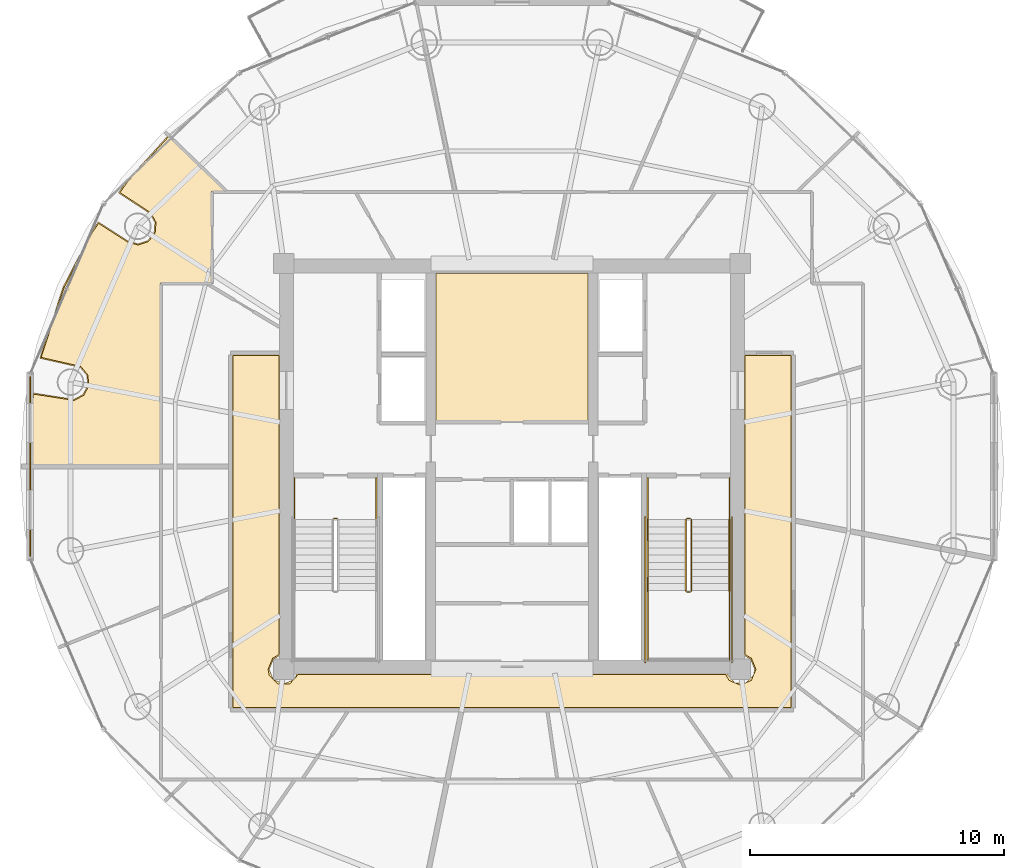
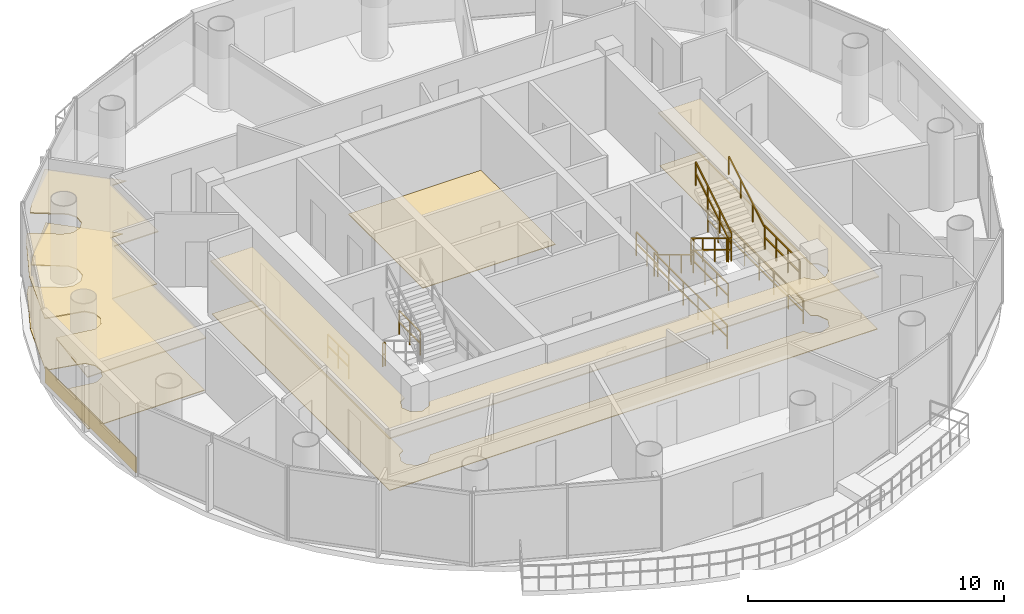
# One storey, part 22 of 23: 15 railings, 6 coverings.
"""IFC4 building model written with IfcOpenShell, lengths in metres."""

from ifc_helpers import new_model, si_unit, direction, frame, origin, origin_2d, place, context, subcontext, project, spatial, polyline, rectangle, outline, extrude, source, transform, mapped, material, layer, layer_set, type_object, element, save


model = new_model("IFC4")

# Units and contexts
model_context = context("Model", 3, precision=1e-05, world=origin(), true_north=direction((-0.2419218956, 0.970295726276)))
body_context = subcontext(model_context, "Body", "Model", "MODEL_VIEW")
ifc_project = project(units=[si_unit("LENGTHUNIT", "METRE"), si_unit("AREAUNIT", "SQUARE_METRE"), si_unit("VOLUMEUNIT", "CUBIC_METRE"), si_unit("PLANEANGLEUNIT", "RADIAN"), si_unit("MASSUNIT", "GRAM", prefix="KILO")], contexts=[model_context])

# Site, building, storey
site_placement = place(None, origin())
site = spatial("IfcSite", under=ifc_project, at=site_placement, CompositionType="ELEMENT")
building_placement = place(site_placement, origin())
building = spatial("IfcBuilding", under=site, at=building_placement, Name="Cobrevalo Terracotta Tower", CompositionType="ELEMENT")
storey_placement = place(building_placement, frame((0.0, 0.0, 263.199951171875)))
storey = spatial("IfcBuildingStorey", under=building, at=storey_placement, Name="L69", CompositionType="ELEMENT", Elevation=263.199951171875)

# Coverings
ifc_material_1 = material(Name="Engineered Brazilian hardwood flooring", Category="wood")
ifc_layer_1 = layer(ifc_material_1, 0.028076171875)
ifc_layer_set_1 = layer_set([ifc_layer_1], Name="Engineered Brazilian hardwood flooring")
covering_type_1 = type_object("IfcCoveringType", Name="Engineered Hardwood Suite Flooring 28", PredefinedType="FLOORING", material=ifc_layer_set_1)
covering_1_placement = place(storey_placement, origin())
element("IfcCovering", 1, at=covering_1_placement, inside=storey, type_object=covering_type_1, Name="Flat L69A Private Cinema Room floor finish", PredefinedType="FLOORING", context=body_context, shape_type="SweptSolid", body=[
    extrude(outline(polyline([(26.72021484375, 37.64501953125), (26.155029296875, 37.64501953125), (26.155029296875, 34.030029296875), (24.14501953125, 34.030029296875), (24.14501953125, 26.820068359375), (18.88134765625, 26.820068359375), (19.1357421875, 29.65087890625), (20.740966796875, 29.401611328125), (21.118408203125, 29.60693359375), (21.318115234375, 29.9873046875), (21.272705078125, 30.41455078125), (20.99755859375, 30.74462890625), (19.43505859375, 31.1005859375), (20.33544921875, 33.848876953125), (21.44140625, 36.009765625), (21.699951171875, 36.382568359375), (22.842529296875, 35.649169921875), (23.255126953125, 35.532470703125), (23.663818359375, 35.664794921875), (23.93017578125, 36.001953125), (23.964599609375, 36.43017578125), (23.7548828125, 36.805419921875), (22.5439453125, 37.599365234375), (22.830810546875, 38.01318359375), (24.47021484375, 39.81396484375), (26.72021484375, 37.64501953125)])), origin(), (0.0, 0.0, 1.0), 0.030029296875),
])
ifc_material_2 = material(Name="Honed terracotta and granite tile", Category="masonry")
ifc_layer_2 = layer(ifc_material_2, 0.034912109375)
ifc_layer_set_2 = layer_set([ifc_layer_2], Name="Honed terracotta and granite tile")
covering_type_2 = type_object("IfcCoveringType", Name="Honed Terracotta & Granite Interior Flooring 35", PredefinedType="FLOORING", material=ifc_layer_set_2)
covering_2_placement = place(storey_placement, origin())
element("IfcCovering", 2, at=covering_2_placement, inside=storey, type_object=covering_type_2, Name="Floor Electrical Switchroom floor finish", PredefinedType="FLOORING", context=body_context, shape_type="SweptSolid", body=[
    extrude(outline(polyline([(35.010009765625, 34.405029296875), (40.989990234375, 34.405029296875), (40.989990234375, 28.580078125), (35.010009765625, 28.580078125), (35.010009765625, 34.405029296875)])), origin(), (0.0, 0.0, 1.0), 0.030029296875),
])
covering_3_placement = place(storey_placement, origin())
element("IfcCovering", 3, at=covering_3_placement, inside=storey, type_object=covering_type_2, Name="L69 Residential Floor Corridor floor finish", PredefinedType="FLOORING", context=body_context, shape_type="SweptSolid", body=[
    extrude(outline(polyline([(26.9951171875, 31.179931640625), (28.804931640625, 31.179931640625), (28.804931640625, 19.381591796875), (28.561279296875, 19.23876953125), (28.379638671875, 18.800048828125), (28.4267578125, 18.5625), (28.7626953125, 18.226806640625), (29.2373046875, 18.226806640625), (29.58154296875, 18.60498046875), (46.41845703125, 18.60498046875), (46.561279296875, 18.361328125), (47.0, 18.1796875), (47.438720703125, 18.361328125), (47.620361328125, 18.800048828125), (47.438720703125, 19.23876953125), (47.195068359375, 19.381591796875), (47.195068359375, 31.179931640625), (49.0048828125, 31.179931640625), (49.0048828125, 17.294921875), (26.9951171875, 17.294921875), (26.9951171875, 31.179931640625)])), origin(), (0.0, 0.0, 1.0), 0.030029296875),
])
ifc_material_3 = material(Name="Acoustic perforated gypsum ceiling", Category="gypsum")
ifc_layer_3 = layer(ifc_material_3, 0.050048828125)
ifc_layer_set_3 = layer_set([ifc_layer_3], Name="Acoustic perforated gypsum ceiling")
covering_type_3 = type_object("IfcCoveringType", Name="Perforated Acoustic Gypsum Ceiling 50", PredefinedType="CEILING", material=ifc_layer_set_3)
covering_4_placement = place(storey_placement, frame((0.0, 0.0, 2.5)))
element("IfcCovering", 4, at=covering_4_placement, inside=storey, type_object=covering_type_3, Name="L69 Residential Floor Corridor acoustic ceiling", PredefinedType="CEILING", context=body_context, shape_type="SweptSolid", body=[
    extrude(outline(polyline([(26.949951171875, 31.22509765625), (28.85009765625, 31.22509765625), (28.85009765625, 19.3447265625), (28.59375, 19.206298828125), (28.425537109375, 18.800048828125), (28.59375, 18.393798828125), (29.0, 18.2255859375), (29.40625, 18.393798828125), (29.544677734375, 18.64990234375), (46.455322265625, 18.64990234375), (46.780029296875, 18.269287109375), (47.219970703125, 18.269287109375), (47.53076171875, 18.580078125), (47.574462890625, 18.800048828125), (47.40625, 19.206298828125), (47.14990234375, 19.3447265625), (47.14990234375, 31.22509765625), (49.050048828125, 31.22509765625), (49.050048828125, 17.25), (26.949951171875, 17.25), (26.949951171875, 31.22509765625)])), origin(), (0.0, 0.0, 1.0), 0.050048828125),
])
covering_5_placement = place(storey_placement, frame((0.0, 0.0, 2.5)))
element("IfcCovering", 5, at=covering_5_placement, inside=storey, type_object=covering_type_3, Name="Flat L69A Private Cinema Room acoustic ceiling", PredefinedType="CEILING", context=body_context, shape_type="SweptSolid", body=[
    extrude(outline(polyline([(26.831787109375, 37.60009765625), (26.199951171875, 37.60009765625), (26.199951171875, 33.985107421875), (24.18994140625, 33.985107421875), (24.18994140625, 26.77490234375), (18.833251953125, 26.77490234375), (19.100830078125, 29.703369140625), (20.731689453125, 29.44580078125), (21.086181640625, 29.638671875), (21.273681640625, 29.995849609375), (21.23095703125, 30.39697265625), (20.97265625, 30.70703125), (19.3818359375, 31.06494140625), (20.2939453125, 33.86669921875), (21.40283203125, 36.032958984375), (21.687744140625, 36.44384765625), (22.864990234375, 35.688232421875), (23.254150390625, 35.57763671875), (23.637939453125, 35.701904296875), (23.88818359375, 36.0185546875), (23.92041015625, 36.420654296875), (23.7236328125, 36.772705078125), (22.48046875, 37.586669921875), (22.795654296875, 38.041259765625), (24.468017578125, 39.87841796875), (26.831787109375, 37.60009765625)])), origin(), (0.0, 0.0, 1.0), 0.050048828125),
])

# Railings
ifc_material_4 = material(Name="Brushed stainless steel", Category="steel")
railing_type_1 = type_object("IfcRailingType", Name="Stainless Steel Stair Handrail 900", PredefinedType="HANDRAIL", material=ifc_material_4)
railing_1_placement = place(storey_placement, frame((43.35498046875, 24.699951171875, 0.17041015625)))
element("IfcRailing", 6, at=railing_1_placement, inside=storey, type_object=railing_type_1, Name="L69 ST-2 stair handrail 1", PredefinedType="HANDRAIL", context=body_context, shape_type="SweptSolid", body=[
    extrude(rectangle(XDim=0.048095703125, YDim=0.048095703125, at=origin_2d()), frame((0.0, 0.0, 0.8759765625), z_axis=(0.0, -0.854169791009, 0.51999420009), x_axis=(1.0, 0.0, 0.0)), (0.0, 0.0, 1.0), 3.278076171875),
    extrude(rectangle(XDim=0.0419921875, YDim=0.0419921875, at=origin_2d()), origin(), (0.0, 0.0, 1.0), 0.851806640625),
    extrude(rectangle(XDim=0.0419921875, YDim=0.0419921875, at=origin_2d()), frame((0.0, -0.933349609375, 0.568115234375)), (0.0, 0.0, 1.0), 0.851806640625),
    extrude(rectangle(XDim=0.0419921875, YDim=0.0419921875, at=origin_2d()), frame((0.0, -1.86669921875, 1.136474609375)), (0.0, 0.0, 1.0), 0.851806640625),
    extrude(rectangle(XDim=0.0419921875, YDim=0.0419921875, at=origin_2d()), frame((0.0, -2.800048828125, 1.70458984375)), (0.0, 0.0, 1.0), 0.851806640625),
])
railing_2_placement = place(storey_placement, frame((46.574951171875, 21.89990234375, 2.04541015625)))
element("IfcRailing", 7, at=railing_2_placement, inside=storey, type_object=railing_type_1, Name="L69 ST-2 stair handrail 2", PredefinedType="HANDRAIL", context=body_context, shape_type="SweptSolid", body=[
    extrude(rectangle(XDim=0.048095703125, YDim=0.048095703125, at=origin_2d()), frame((0.0, 0.0, 0.8759765625), z_axis=(0.0, 0.854169791009, 0.51999420009), x_axis=(-1.0, 0.0, 0.0)), (0.0, 0.0, 1.0), 3.278076171875),
    extrude(rectangle(XDim=0.0419921875, YDim=0.0419921875, at=origin_2d()), origin(), (0.0, 0.0, 1.0), 0.851806640625),
    extrude(rectangle(XDim=0.0419921875, YDim=0.0419921875, at=origin_2d()), frame((0.0, 0.933349609375, 0.568115234375)), (0.0, 0.0, 1.0), 0.851806640625),
    extrude(rectangle(XDim=0.0419921875, YDim=0.0419921875, at=origin_2d()), frame((0.0, 1.86669921875, 1.136474609375)), (0.0, 0.0, 1.0), 0.851806640625),
    extrude(rectangle(XDim=0.0419921875, YDim=0.0419921875, at=origin_2d()), frame((0.0, 2.800048828125, 1.70458984375)), (0.0, 0.0, 1.0), 0.851806640625),
])
ifc_material_5 = material(Name="Painted galvanized steel", Category="steel")
railing_type_2 = type_object("IfcRailingType", Name="Stair Well Guard Balustrade 1150", PredefinedType="GUARDRAIL", material=ifc_material_5)
railing_3_placement = place(storey_placement, frame((30.97509765625, 24.75, 0.0)))
element("IfcRailing", 8, at=railing_3_placement, inside=storey, type_object=railing_type_2, Name="L69 ST-1 stair guard 7", PredefinedType="GUARDRAIL", context=body_context, shape_type="SweptSolid", body=[
    extrude(rectangle(XDim=0.048095703125, YDim=0.048095703125, at=origin_2d()), frame((0.0, 0.0, 1.1259765625), z_axis=(1.0, 0.0, 0.0), x_axis=(0.0, 1.0, 0.0)), (0.0, 0.0, 1.0), 0.119873046875),
    extrude(rectangle(XDim=0.048095703125, YDim=0.048095703125, at=origin_2d()), frame((0.0, 0.0, 0.574951171875), z_axis=(1.0, 0.0, 0.0), x_axis=(0.0, 1.0, 0.0)), (0.0, 0.0, 1.0), 0.119873046875),
    extrude(rectangle(XDim=0.0419921875, YDim=0.0419921875, at=origin_2d()), origin(), (0.0, 0.0, 1.0), 1.101806640625),
    extrude(rectangle(XDim=0.0419921875, YDim=0.0419921875, at=origin_2d()), frame((0.119873046875, 0.0, 0.0)), (0.0, 0.0, 1.0), 1.101806640625),
])
for number, where, name in (
    (9, (29.425048828125, 26.35009765625, 0.0), "L69 ST-1 stair guard 8"),
    (10, (32.64501953125, 26.35009765625, 0.0), "L69 ST-1 stair guard 9"),
):
    element("IfcRailing", number, at=place(storey_placement, frame(where)), inside=storey, type_object=railing_type_2, Name=name, PredefinedType="GUARDRAIL", context=body_context, shape_type="SweptSolid", body=[
        extrude(rectangle(XDim=0.048095703125, YDim=0.048095703125, at=origin_2d()), frame((0.0, 0.0, 1.1259765625), z_axis=(0.0, -1.0, 0.0), x_axis=(1.0, 0.0, 0.0)), (0.0, 0.0, 1.0), 1.650146484375),
        extrude(rectangle(XDim=0.048095703125, YDim=0.048095703125, at=origin_2d()), frame((0.0, 0.0, 0.574951171875), z_axis=(0.0, -1.0, 0.0), x_axis=(1.0, 0.0, 0.0)), (0.0, 0.0, 1.0), 1.650146484375),
        extrude(rectangle(XDim=0.0419921875, YDim=0.0419921875, at=origin_2d()), origin(), (0.0, 0.0, 1.0), 1.101806640625),
        extrude(rectangle(XDim=0.0419921875, YDim=0.0419921875, at=origin_2d()), frame((0.0, -0.8251953125, 0.0)), (0.0, 0.0, 1.0), 1.101806640625),
        extrude(rectangle(XDim=0.0419921875, YDim=0.0419921875, at=origin_2d()), frame((0.0, -1.650146484375, 0.0)), (0.0, 0.0, 1.0), 1.101806640625),
    ])
railing_4_placement = place(storey_placement, frame((44.85498046875, 24.699951171875, 0.17041015625)))
element("IfcRailing", 11, at=railing_4_placement, inside=storey, type_object=railing_type_2, Name="L69 ST-2 stair guard 1", PredefinedType="GUARDRAIL", context=body_context, shape_type="SweptSolid", body=[
    extrude(rectangle(XDim=0.048095703125, YDim=0.048095703125, at=origin_2d()), frame((0.0, 0.0, 1.1259765625), z_axis=(0.0, -0.854169791009, 0.51999420009), x_axis=(1.0, 0.0, 0.0)), (0.0, 0.0, 1.0), 3.278076171875),
    extrude(rectangle(XDim=0.048095703125, YDim=0.048095703125, at=origin_2d()), frame((0.0, 0.0, 0.574951171875), z_axis=(0.0, -0.854169791009, 0.51999420009), x_axis=(1.0, 0.0, 0.0)), (0.0, 0.0, 1.0), 3.278076171875),
    extrude(rectangle(XDim=0.0419921875, YDim=0.0419921875, at=origin_2d()), origin(), (0.0, 0.0, 1.0), 1.101806640625),
    extrude(rectangle(XDim=0.0419921875, YDim=0.0419921875, at=origin_2d()), frame((0.0, -0.933349609375, 0.568115234375)), (0.0, 0.0, 1.0), 1.101806640625),
    extrude(rectangle(XDim=0.0419921875, YDim=0.0419921875, at=origin_2d()), frame((0.0, -1.86669921875, 1.136474609375)), (0.0, 0.0, 1.0), 1.101806640625),
    extrude(rectangle(XDim=0.0419921875, YDim=0.0419921875, at=origin_2d()), frame((0.0, -2.800048828125, 1.70458984375)), (0.0, 0.0, 1.0), 1.101806640625),
])
railing_5_placement = place(storey_placement, frame((44.905029296875, 21.85009765625, 1.875)))
element("IfcRailing", 12, at=railing_5_placement, inside=storey, type_object=railing_type_2, Name="L69 ST-2 stair guard 2", PredefinedType="GUARDRAIL", context=body_context, shape_type="SweptSolid", body=[
    extrude(rectangle(XDim=0.048095703125, YDim=0.048095703125, at=origin_2d()), frame((0.0, 0.0, 1.1259765625), z_axis=(1.0, 0.0, 0.0), x_axis=(0.0, 1.0, 0.0)), (0.0, 0.0, 1.0), 0.119873046875),
    extrude(rectangle(XDim=0.048095703125, YDim=0.048095703125, at=origin_2d()), frame((0.0, 0.0, 0.574951171875), z_axis=(1.0, 0.0, 0.0), x_axis=(0.0, 1.0, 0.0)), (0.0, 0.0, 1.0), 0.119873046875),
    extrude(rectangle(XDim=0.0419921875, YDim=0.0419921875, at=origin_2d()), origin(), (0.0, 0.0, 1.0), 1.101806640625),
    extrude(rectangle(XDim=0.0419921875, YDim=0.0419921875, at=origin_2d()), frame((0.119873046875, 0.0, 0.0)), (0.0, 0.0, 1.0), 1.101806640625),
])
for number, where, name in (
    (13, (43.35498046875, 21.89990234375, 1.875), "L69 ST-2 stair guard 3"),
    (14, (46.574951171875, 21.89990234375, 1.875), "L69 ST-2 stair guard 4"),
):
    element("IfcRailing", number, at=place(storey_placement, frame(where)), inside=storey, type_object=railing_type_2, Name=name, PredefinedType="GUARDRAIL", context=body_context, shape_type="SweptSolid", body=[
        extrude(rectangle(XDim=0.048095703125, YDim=0.048095703125, at=origin_2d()), frame((0.0, 0.0, 1.1259765625), z_axis=(0.0, -1.0, 0.0), x_axis=(1.0, 0.0, 0.0)), (0.0, 0.0, 1.0), 2.724853515625),
        extrude(rectangle(XDim=0.048095703125, YDim=0.048095703125, at=origin_2d()), frame((0.0, 0.0, 0.574951171875), z_axis=(0.0, -1.0, 0.0), x_axis=(1.0, 0.0, 0.0)), (0.0, 0.0, 1.0), 2.724853515625),
        extrude(rectangle(XDim=0.0419921875, YDim=0.0419921875, at=origin_2d()), origin(), (0.0, 0.0, 1.0), 1.101806640625),
        extrude(rectangle(XDim=0.0419921875, YDim=0.0419921875, at=origin_2d()), frame((0.0, -0.908203125, 0.0)), (0.0, 0.0, 1.0), 1.101806640625),
        extrude(rectangle(XDim=0.0419921875, YDim=0.0419921875, at=origin_2d()), frame((0.0, -1.816650390625, 0.0)), (0.0, 0.0, 1.0), 1.101806640625),
        extrude(rectangle(XDim=0.0419921875, YDim=0.0419921875, at=origin_2d()), frame((0.0, -2.724853515625, 0.0)), (0.0, 0.0, 1.0), 1.101806640625),
    ])
railing_6_placement = place(storey_placement, frame((45.074951171875, 21.89990234375, 2.04541015625)))
element("IfcRailing", 15, at=railing_6_placement, inside=storey, type_object=railing_type_2, Name="L69 ST-2 stair guard 6", PredefinedType="GUARDRAIL", context=body_context, shape_type="SweptSolid", body=[
    extrude(rectangle(XDim=0.048095703125, YDim=0.048095703125, at=origin_2d()), frame((0.0, 0.0, 1.1259765625), z_axis=(0.0, 0.854169791009, 0.51999420009), x_axis=(-1.0, 0.0, 0.0)), (0.0, 0.0, 1.0), 3.278076171875),
    extrude(rectangle(XDim=0.048095703125, YDim=0.048095703125, at=origin_2d()), frame((0.0, 0.0, 0.574951171875), z_axis=(0.0, 0.854169791009, 0.51999420009), x_axis=(-1.0, 0.0, 0.0)), (0.0, 0.0, 1.0), 3.278076171875),
    extrude(rectangle(XDim=0.0419921875, YDim=0.0419921875, at=origin_2d()), origin(), (0.0, 0.0, 1.0), 1.101806640625),
    extrude(rectangle(XDim=0.0419921875, YDim=0.0419921875, at=origin_2d()), frame((0.0, 0.933349609375, 0.568115234375)), (0.0, 0.0, 1.0), 1.101806640625),
    extrude(rectangle(XDim=0.0419921875, YDim=0.0419921875, at=origin_2d()), frame((0.0, 1.86669921875, 1.136474609375)), (0.0, 0.0, 1.0), 1.101806640625),
    extrude(rectangle(XDim=0.0419921875, YDim=0.0419921875, at=origin_2d()), frame((0.0, 2.800048828125, 1.70458984375)), (0.0, 0.0, 1.0), 1.101806640625),
])
railing_7_placement = place(storey_placement, frame((44.905029296875, 24.75, 0.0)))
element("IfcRailing", 16, at=railing_7_placement, inside=storey, type_object=railing_type_2, Name="L69 ST-2 stair guard 7", PredefinedType="GUARDRAIL", context=body_context, shape_type="SweptSolid", body=[
    extrude(rectangle(XDim=0.048095703125, YDim=0.048095703125, at=origin_2d()), frame((0.0, 0.0, 1.1259765625), z_axis=(1.0, 0.0, 0.0), x_axis=(0.0, 1.0, 0.0)), (0.0, 0.0, 1.0), 0.119873046875),
    extrude(rectangle(XDim=0.048095703125, YDim=0.048095703125, at=origin_2d()), frame((0.0, 0.0, 0.574951171875), z_axis=(1.0, 0.0, 0.0), x_axis=(0.0, 1.0, 0.0)), (0.0, 0.0, 1.0), 0.119873046875),
    extrude(rectangle(XDim=0.0419921875, YDim=0.0419921875, at=origin_2d()), origin(), (0.0, 0.0, 1.0), 1.101806640625),
    extrude(rectangle(XDim=0.0419921875, YDim=0.0419921875, at=origin_2d()), frame((0.119873046875, 0.0, 0.0)), (0.0, 0.0, 1.0), 1.101806640625),
])
for number, where, name in (
    (17, (43.35498046875, 26.35009765625, 0.0), "L69 ST-2 stair guard 8"),
    (18, (46.574951171875, 26.35009765625, 0.0), "L69 ST-2 stair guard 9"),
):
    element("IfcRailing", number, at=place(storey_placement, frame(where)), inside=storey, type_object=railing_type_2, Name=name, PredefinedType="GUARDRAIL", context=body_context, shape_type="SweptSolid", body=[
        extrude(rectangle(XDim=0.048095703125, YDim=0.048095703125, at=origin_2d()), frame((0.0, 0.0, 1.1259765625), z_axis=(0.0, -1.0, 0.0), x_axis=(1.0, 0.0, 0.0)), (0.0, 0.0, 1.0), 1.650146484375),
        extrude(rectangle(XDim=0.048095703125, YDim=0.048095703125, at=origin_2d()), frame((0.0, 0.0, 0.574951171875), z_axis=(0.0, -1.0, 0.0), x_axis=(1.0, 0.0, 0.0)), (0.0, 0.0, 1.0), 1.650146484375),
        extrude(rectangle(XDim=0.0419921875, YDim=0.0419921875, at=origin_2d()), origin(), (0.0, 0.0, 1.0), 1.101806640625),
        extrude(rectangle(XDim=0.0419921875, YDim=0.0419921875, at=origin_2d()), frame((0.0, -0.8251953125, 0.0)), (0.0, 0.0, 1.0), 1.101806640625),
        extrude(rectangle(XDim=0.0419921875, YDim=0.0419921875, at=origin_2d()), frame((0.0, -1.650146484375, 0.0)), (0.0, 0.0, 1.0), 1.101806640625),
    ])
for number, where, name in (
    (19, (43.2548828125, 24.800048828125, 0.0), "L69 ST-2 stair guard 10"),
    (20, (46.675048828125, 24.800048828125, 0.0), "L69 ST-2 stair guard 11"),
):
    element("IfcRailing", number, at=place(storey_placement, frame(where)), inside=storey, type_object=railing_type_2, Name=name, PredefinedType="GUARDRAIL", context=body_context, shape_type="SweptSolid", body=[
        extrude(rectangle(XDim=0.048095703125, YDim=0.048095703125, at=origin_2d()), frame((0.0, 0.0, 1.1259765625), z_axis=(0.0, -1.0, 0.0), x_axis=(1.0, 0.0, 0.0)), (0.0, 0.0, 1.0), 5.72509765625),
        extrude(rectangle(XDim=0.048095703125, YDim=0.048095703125, at=origin_2d()), frame((0.0, 0.0, 0.574951171875), z_axis=(0.0, -1.0, 0.0), x_axis=(1.0, 0.0, 0.0)), (0.0, 0.0, 1.0), 5.72509765625),
        extrude(rectangle(XDim=0.0419921875, YDim=0.0419921875, at=origin_2d()), origin(), (0.0, 0.0, 1.0), 1.101806640625),
        extrude(rectangle(XDim=0.0419921875, YDim=0.0419921875, at=origin_2d()), frame((0.0, -1.14501953125, 0.0)), (0.0, 0.0, 1.0), 1.101806640625),
        extrude(rectangle(XDim=0.0419921875, YDim=0.0419921875, at=origin_2d()), frame((0.0, -2.2900390625, 0.0)), (0.0, 0.0, 1.0), 1.101806640625),
        extrude(rectangle(XDim=0.0419921875, YDim=0.0419921875, at=origin_2d()), frame((0.0, -3.43505859375, 0.0)), (0.0, 0.0, 1.0), 1.101806640625),
        extrude(rectangle(XDim=0.0419921875, YDim=0.0419921875, at=origin_2d()), frame((0.0, -4.580078125, 0.0)), (0.0, 0.0, 1.0), 1.101806640625),
        extrude(rectangle(XDim=0.0419921875, YDim=0.0419921875, at=origin_2d()), frame((0.0, -5.72509765625, 0.0)), (0.0, 0.0, 1.0), 1.101806640625),
    ])

# Covering
ifc_material_6 = material(Name="Glazed terracotta facade cladding tile", Category="masonry")
ifc_layer_4 = layer(ifc_material_6, 0.044921875)
ifc_layer_set_4 = layer_set([ifc_layer_4], Name="Glazed terracotta facade cladding tile")
covering_type_4 = type_object("IfcCoveringType", Name="Architectural terracotta rainscreen spandrel cladding 45 mm", PredefinedType="CLADDING", material=ifc_layer_set_4)
shared_shape = source(origin(), body_context, "Body", "SweptSolid", [
    extrude(rectangle(XDim=7.084716796875, YDim=0.044921875, at=origin_2d()), origin(), (0.0, 0.0, 1.0), 0.760009765625),
])
covering_6_placement = place(storey_placement, frame((19.002197265625, 26.800048828125, 0.0400390625), z_axis=(0.0, 0.0, 1.0), x_axis=(0.0, -1.0, 0.0)))
element("IfcCovering", 21, at=covering_6_placement, inside=storey, type_object=covering_type_4, Name="L69 terracotta spandrel cladding S08", PredefinedType="CLADDING", context=body_context, shape_type="MappedRepresentation", body=[
    mapped(shared_shape, transform((0.0, 0.0, 0.0), scale=1.0)),
])

save(model, "model.ifc")
